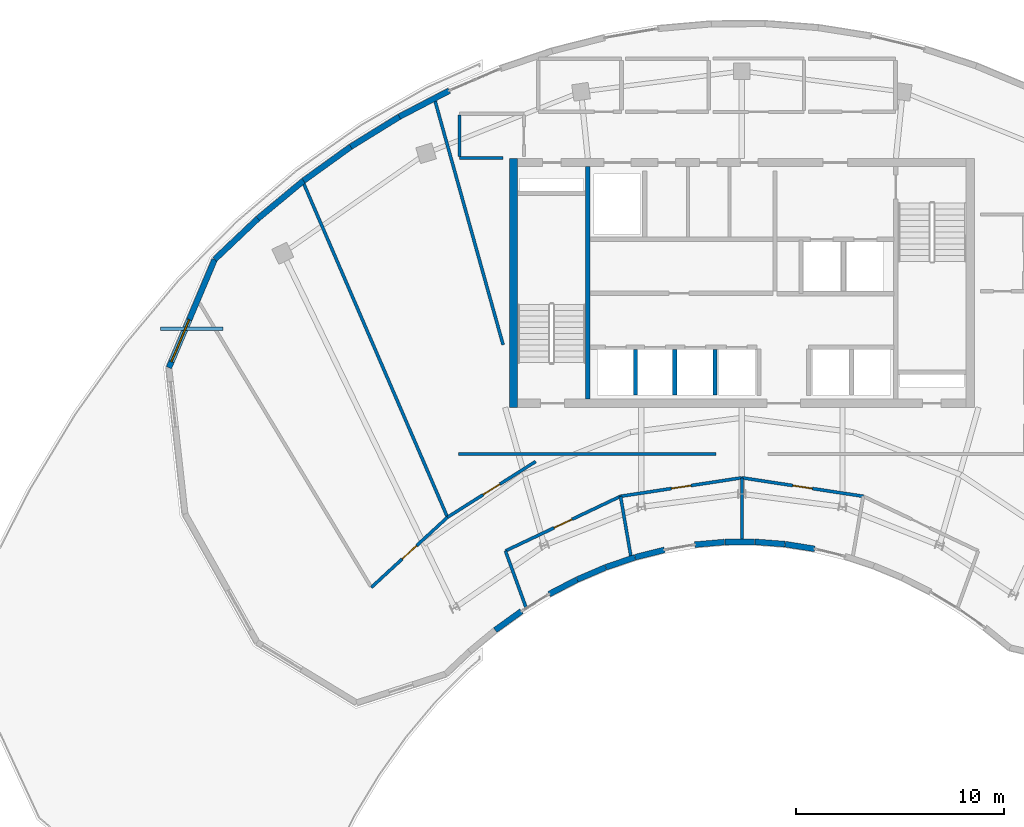
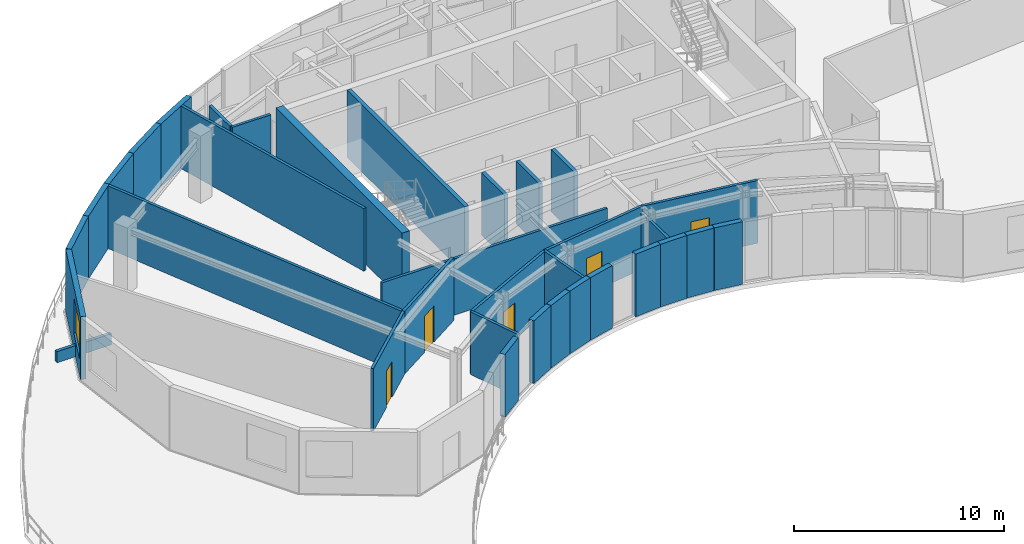
# One storey, part 6 of 11: 34 walls, 5 doors, 1 window, 6 openings.
"""IFC4 building model written with IfcOpenShell, lengths in metres."""

from ifc_helpers import new_model, si_unit, direction, frame, frame_2d, origin, place, context, subcontext, project, spatial, rectangle, extrude, source, transform, mapped, material, layer, layer_set, type_object, type_shapes, element, fill, save


model = new_model("IFC4")

# Units and contexts
model_context = context("Model", 3, precision=1e-05, world=origin(), true_north=direction((0.0, 1.0)))
body_context = subcontext(model_context, "Body", "Model", "MODEL_VIEW")
ifc_project = project(units=[si_unit("LENGTHUNIT", "METRE"), si_unit("AREAUNIT", "SQUARE_METRE"), si_unit("VOLUMEUNIT", "CUBIC_METRE"), si_unit("PLANEANGLEUNIT", "RADIAN"), si_unit("MASSUNIT", "GRAM", prefix="KILO")], contexts=[model_context])

# Site, building, storey
site_placement = place(None, origin())
site = spatial("IfcSite", under=ifc_project, at=site_placement, CompositionType="ELEMENT")
building_placement = place(site_placement, origin())
building = spatial("IfcBuilding", under=site, at=building_placement, Name="Breltana Convention Tower", CompositionType="ELEMENT")
storey_placement = place(building_placement, frame((0.0, 0.0, 275.699951171875)))
storey = spatial("IfcBuildingStorey", under=building, at=storey_placement, Name="L67", CompositionType="ELEMENT", Elevation=275.699951171875)

# Walls
ifc_material_1 = material(Name="Concrete C50/60", Category="concrete")
ifc_layer_1 = layer(ifc_material_1, 0.39990234375, Name="Concrete C50/60")
ifc_layer_set_1 = layer_set([ifc_layer_1], Name="Concrete C50/60")
wall_type_1 = type_object("IfcWallType", Name="SW-CORE-400", PredefinedType="SHEAR", material=ifc_layer_set_1)
shared_shape_1 = source(origin(), body_context, "Body", "SweptSolid", [
    extrude(rectangle(XDim=12.0, YDim=0.39990234375, at=frame_2d((6.0, 0.0))), origin(), (0.0, 0.0, 1.0), 3.900146484375),
])
wall_1_placement = place(storey_placement, frame((37.0, 60.199951171875, 0.0), z_axis=(0.0, 0.0, 1.0), x_axis=(0.0, 1.0, 0.0)))
element("IfcWall", 1, at=wall_1_placement, inside=storey, type_object=wall_type_1, Name="L67 West Core Shear Wall", PredefinedType="SHEAR", context=body_context, shape_type="MappedRepresentation", body=[
    mapped(shared_shape_1, transform((0.0, 0.0, 0.0), scale=1.0)),
])
shared_shape_2 = source(origin(), body_context, "Body", "SweptSolid", [
    extrude(rectangle(XDim=11.199951171875, YDim=0.219970703125, at=frame_2d((5.60009765625, 0.0))), origin(), (0.0, 0.0, 1.0), 3.900146484375),
])
wall_2_placement = place(storey_placement, frame((40.580078125, 60.60009765625, 0.0), z_axis=(0.0, 0.0, 1.0), x_axis=(0.0, 1.0, 0.0)))
element("IfcWall", 2, at=wall_2_placement, inside=storey, type_object=wall_type_1, Name="L67 Core West Stair Spine Wall", PredefinedType="SHEAR", context=body_context, shape_type="MappedRepresentation", body=[
    mapped(shared_shape_2, transform((0.0, 0.0, 0.0), scale=1.0)),
])
ifc_material_2 = material(Name="Limestone Buff Insulated Wall", Category="masonry")
ifc_layer_2 = layer(ifc_material_2, 0.280029296875, Name="Limestone Buff Insulated Wall")
ifc_layer_set_2 = layer_set([ifc_layer_2], Name="Limestone Buff Insulated Wall")
wall_type_2 = type_object("IfcWallType", Name="WL-EXT-NOSE-280", PredefinedType="SOLIDWALL", material=ifc_layer_set_2)
shared_shape_3 = source(origin(), body_context, "Body", "SweptSolid", [
    extrude(rectangle(XDim=1.446044921875, YDim=0.280029296875, at=frame_2d((0.72314453125, 0.0))), origin(), (0.0, 0.0, 1.0), 3.64013671875),
])
wall_3_placement = place(storey_placement, frame((51.509033203125, 53.38818359375, 0.0), z_axis=(0.0, 0.0, 1.0), x_axis=(-0.987650460941, 0.156673440642, 0.0)))
element("IfcWall", 3, at=wall_3_placement, inside=storey, type_object=wall_type_2, Name="L67 curved limestone nose wall E10", PredefinedType="SOLIDWALL", context=body_context, shape_type="MappedRepresentation", body=[
    mapped(shared_shape_3, transform((0.0, 0.0, 0.0), scale=1.0)),
])
shared_shape_4 = source(origin(), body_context, "Body", "SweptSolid", [
    extrude(rectangle(XDim=1.440185546875, YDim=0.280029296875, at=frame_2d((0.72021484375, 0.0))), origin(), (0.0, 0.0, 1.0), 3.64013671875),
])
wall_4_placement = place(storey_placement, frame((50.066162109375, 53.616455078125, 0.0), z_axis=(0.0, 0.0, 1.0), x_axis=(-0.997124860794, 0.075776064736, 0.0)))
element("IfcWall", 4, at=wall_4_placement, inside=storey, type_object=wall_type_2, Name="L67 curved limestone nose wall E11", PredefinedType="SOLIDWALL", context=body_context, shape_type="MappedRepresentation", body=[
    mapped(shared_shape_4, transform((0.0, 0.0, 0.0), scale=1.0)),
])
shared_shape_5 = source(origin(), body_context, "Body", "SweptSolid", [
    extrude(rectangle(XDim=1.4384765625, YDim=0.280029296875, at=frame_2d((0.71923828125, 0.0))), origin(), (0.0, 0.0, 1.0), 3.64013671875),
])
wall_5_placement = place(storey_placement, frame((48.615478515625, 53.726318359375, 0.0), z_axis=(0.0, 0.0, 1.0), x_axis=(-0.999982357135, -0.005940153174, 0.0)))
element("IfcWall", 5, at=wall_5_placement, inside=storey, type_object=wall_type_2, Name="L67 curved limestone nose wall E12", PredefinedType="SOLIDWALL", context=body_context, shape_type="MappedRepresentation", body=[
    mapped(shared_shape_5, transform((0.0, 0.0, 0.0), scale=1.0)),
])
shared_shape_6 = source(origin(), body_context, "Body", "SweptSolid", [
    extrude(rectangle(XDim=1.44091796875, YDim=0.280029296875, at=frame_2d((0.720458984375, 0.0))), origin(), (0.0, 0.0, 1.0), 3.64013671875),
])
wall_6_placement = place(storey_placement, frame((47.162353515625, 53.717041015625, 0.0), z_axis=(0.0, 0.0, 1.0), x_axis=(-0.99617032352, -0.087433898101, 0.0)))
element("IfcWall", 6, at=wall_6_placement, inside=storey, type_object=wall_type_2, Name="L67 curved limestone nose wall E13", PredefinedType="SOLIDWALL", context=body_context, shape_type="MappedRepresentation", body=[
    mapped(shared_shape_6, transform((0.0, 0.0, 0.0), scale=1.0)),
])
shared_shape_7 = source(origin(), body_context, "Body", "SweptSolid", [
    extrude(rectangle(XDim=1.4580078125, YDim=0.280029296875, at=frame_2d((0.72900390625, 0.0))), origin(), (0.0, 0.0, 1.0), 3.64013671875),
])
wall_7_placement = place(storey_placement, frame((44.271484375, 53.343017578125, 0.0), z_axis=(0.0, 0.0, 1.0), x_axis=(-0.969109544438, -0.246630677083, 0.0)))
element("IfcWall", 7, at=wall_7_placement, inside=storey, type_object=wall_type_2, Name="L67 curved limestone nose wall E14", PredefinedType="SOLIDWALL", context=body_context, shape_type="MappedRepresentation", body=[
    mapped(shared_shape_7, transform((0.0, 0.0, 0.0), scale=1.0)),
])
shared_shape_8 = source(origin(), body_context, "Body", "SweptSolid", [
    extrude(rectangle(XDim=1.47265625, YDim=0.280029296875, at=frame_2d((0.736328125, 0.0))), origin(), (0.0, 0.0, 1.0), 3.64013671875),
])
wall_8_placement = place(storey_placement, frame((42.8447265625, 52.9794921875, 0.0), z_axis=(0.0, 0.0, 1.0), x_axis=(-0.946641296917, -0.322289086026, 0.0)))
element("IfcWall", 8, at=wall_8_placement, inside=storey, type_object=wall_type_2, Name="L67 curved limestone nose wall E15", PredefinedType="SOLIDWALL", context=body_context, shape_type="MappedRepresentation", body=[
    mapped(shared_shape_8, transform((0.0, 0.0, 0.0), scale=1.0)),
])
shared_shape_9 = source(origin(), body_context, "Body", "SweptSolid", [
    extrude(rectangle(XDim=1.490478515625, YDim=0.280029296875, at=frame_2d((0.7451171875, 0.0))), origin(), (0.0, 0.0, 1.0), 3.64013671875),
])
wall_9_placement = place(storey_placement, frame((41.437744140625, 52.5, 0.0), z_axis=(0.0, 0.0, 1.0), x_axis=(-0.919009427656, -0.394235553799, 0.0)))
element("IfcWall", 9, at=wall_9_placement, inside=storey, type_object=wall_type_2, Name="L67 curved limestone nose wall E16", PredefinedType="SOLIDWALL", context=body_context, shape_type="MappedRepresentation", body=[
    mapped(shared_shape_9, transform((0.0, 0.0, 0.0), scale=1.0)),
])
shared_shape_10 = source(origin(), body_context, "Body", "SweptSolid", [
    extrude(rectangle(XDim=1.51171875, YDim=0.280029296875, at=frame_2d((0.755859375, 0.0))), origin(), (0.0, 0.0, 1.0), 3.64013671875),
])
wall_10_placement = place(storey_placement, frame((40.0556640625, 51.906494140625, 0.0), z_axis=(0.0, 0.0, 1.0), x_axis=(-0.886841011195, -0.462074691865, 0.0)))
element("IfcWall", 10, at=wall_10_placement, inside=storey, type_object=wall_type_2, Name="L67 curved limestone nose wall E17", PredefinedType="SOLIDWALL", context=body_context, shape_type="MappedRepresentation", body=[
    mapped(shared_shape_10, transform((0.0, 0.0, 0.0), scale=1.0)),
])
shared_shape_11 = source(origin(), body_context, "Body", "SweptSolid", [
    extrude(rectangle(XDim=1.56103515625, YDim=0.280029296875, at=frame_2d((0.780517578125, 0.0))), origin(), (0.0, 0.0, 1.0), 3.64013671875),
])
wall_11_placement = place(storey_placement, frame((37.38671875, 50.387451171875, 0.0), z_axis=(0.0, 0.0, 1.0), x_axis=(-0.81154027425, -0.584296485758, 0.0)))
element("IfcWall", 11, at=wall_11_placement, inside=storey, type_object=wall_type_2, Name="L67 curved limestone nose wall E18", PredefinedType="SOLIDWALL", context=body_context, shape_type="MappedRepresentation", body=[
    mapped(shared_shape_11, transform((0.0, 0.0, 0.0), scale=1.0)),
])

# Wall, opening, window
shared_shape_12 = source(origin(), body_context, "Body", "SweptSolid", [
    extrude(rectangle(XDim=5.655029296875, YDim=0.280029296875, at=frame_2d((2.82763671875, 0.0))), origin(), (0.0, 0.0, 1.0), 3.64013671875),
])
wall_12_placement = place(storey_placement, frame((20.40087890625, 62.11572265625, 0.0), z_axis=(0.0, 0.0, 1.0), x_axis=(0.389585063528, 0.920990487614, 0.0)))
wall_12 = element("IfcWall", 12, at=wall_12_placement, inside=storey, type_object=wall_type_2, Name="L67 curved limestone nose wall W6", PredefinedType="SOLIDWALL", context=body_context, shape_type="MappedRepresentation", body=[
    mapped(shared_shape_12, transform((0.0, 0.0, 0.0), scale=1.0)),
])
opening_1_placement = place(wall_12_placement, frame((0.313720703125, 0.0, 0.949951171875)))
opening_1 = element("IfcOpeningElement", 13, at=opening_1_placement, cuts=wall_12, Name="Opening W-03", PredefinedType="OPENING", context=body_context, shape_type="SweptSolid", body=[
    extrude(rectangle(XDim=2.199951171875, YDim=2.10009765625, at=frame_2d((1.10009765625, 1.050048828125))), frame((0.0, 0.14990234375, 0.0), z_axis=(0.0, -1.0, 0.0), x_axis=(1.0, 0.0, 0.0)), (0.0, 0.0, 1.0), 0.300048828125),
])
ifc_material_3 = material(Name="Glass Low-E Insulated Window", Category="glass")
window_type = type_object("IfcWindowType", Name="WN-NOSE-2200X2100", PartitioningType="TRIPLE_PANEL_VERTICAL", PredefinedType="WINDOW", material=ifc_material_3)
shared_shape_13 = source(origin(), body_context, "Body", "SweptSolid", [
    extrude(rectangle(XDim=2.199951171875, YDim=2.10009765625, at=frame_2d((1.10009765625, 1.050048828125))), frame((0.0, 0.030029296875, 0.0), z_axis=(0.0, -1.0, 0.0), x_axis=(1.0, 0.0, 0.0)), (0.0, 0.0, 1.0), 0.06005859375),
])
type_shapes(window_type, [shared_shape_13])
window_placement = place(opening_1_placement, origin())
window = element("IfcWindow", 14, at=window_placement, inside=storey, type_object=window_type, Name="L67 nose window W6", OverallHeight=2.10009765625, OverallWidth=2.199951171875, PartitioningType="TRIPLE_PANEL_VERTICAL", PredefinedType="WINDOW", context=body_context, shape_type="MappedRepresentation", body=[
    mapped(shared_shape_13, transform((0.0, 0.0, 0.0), scale=1.0)),
])
fill(opening_1, window)

# Walls
shared_shape_14 = source(origin(), body_context, "Body", "SweptSolid", [
    extrude(rectangle(XDim=2.87255859375, YDim=0.280029296875, at=frame_2d((1.436279296875, 0.0))), origin(), (0.0, 0.0, 1.0), 3.64013671875),
])
wall_13_placement = place(storey_placement, frame((22.60400390625, 67.323974609375, 0.0), z_axis=(0.0, 0.0, 1.0), x_axis=(0.72609560544, 0.687593754888, 0.0)))
element("IfcWall", 15, at=wall_13_placement, inside=storey, type_object=wall_type_2, Name="L67 curved limestone nose wall W7", PredefinedType="SOLIDWALL", context=body_context, shape_type="MappedRepresentation", body=[
    mapped(shared_shape_14, transform((0.0, 0.0, 0.0), scale=1.0)),
])
shared_shape_15 = source(origin(), body_context, "Body", "SweptSolid", [
    extrude(rectangle(XDim=2.852294921875, YDim=0.280029296875, at=frame_2d((1.42626953125, 0.0))), origin(), (0.0, 0.0, 1.0), 3.64013671875),
])
wall_14_placement = place(storey_placement, frame((24.689697265625, 69.299072265625, 0.0), z_axis=(0.0, 0.0, 1.0), x_axis=(0.769783606009, 0.638304942735, 0.0)))
element("IfcWall", 16, at=wall_14_placement, inside=storey, type_object=wall_type_2, Name="L67 curved limestone nose wall W8", PredefinedType="SOLIDWALL", context=body_context, shape_type="MappedRepresentation", body=[
    mapped(shared_shape_15, transform((0.0, 0.0, 0.0), scale=1.0)),
])
shared_shape_16 = source(origin(), body_context, "Body", "SweptSolid", [
    extrude(rectangle(XDim=2.8017578125, YDim=0.280029296875, at=frame_2d((1.40087890625, 0.0))), origin(), (0.0, 0.0, 1.0), 3.64013671875),
])
wall_15_placement = place(storey_placement, frame((26.88525390625, 71.11962890625, 0.0), z_axis=(0.0, 0.0, 1.0), x_axis=(0.811507896482, 0.584341453217, 0.0)))
element("IfcWall", 17, at=wall_15_placement, inside=storey, type_object=wall_type_2, Name="L67 curved limestone nose wall W9", PredefinedType="SOLIDWALL", context=body_context, shape_type="MappedRepresentation", body=[
    mapped(shared_shape_16, transform((0.0, 0.0, 0.0), scale=1.0)),
])
shared_shape_17 = source(origin(), body_context, "Body", "SweptSolid", [
    extrude(rectangle(XDim=2.754638671875, YDim=0.280029296875, at=frame_2d((1.37744140625, 0.0))), origin(), (0.0, 0.0, 1.0), 3.64013671875),
])
wall_16_placement = place(storey_placement, frame((29.158935546875, 72.7568359375, 0.0), z_axis=(0.0, 0.0, 1.0), x_axis=(0.850750210743, 0.525570241661, 0.0)))
element("IfcWall", 18, at=wall_16_placement, inside=storey, type_object=wall_type_2, Name="L67 curved limestone nose wall W10", PredefinedType="SOLIDWALL", context=body_context, shape_type="MappedRepresentation", body=[
    mapped(shared_shape_17, transform((0.0, 0.0, 0.0), scale=1.0)),
])
shared_shape_18 = source(origin(), body_context, "Body", "SweptSolid", [
    extrude(rectangle(XDim=2.71142578125, YDim=0.280029296875, at=frame_2d((1.355712890625, 0.0))), origin(), (0.0, 0.0, 1.0), 3.64013671875),
])
wall_17_placement = place(storey_placement, frame((31.50244140625, 74.20458984375, 0.0), z_axis=(0.0, 0.0, 1.0), x_axis=(0.886828760751, 0.462098202881, 0.0)))
element("IfcWall", 19, at=wall_17_placement, inside=storey, type_object=wall_type_2, Name="L67 curved limestone nose wall W11", PredefinedType="SOLIDWALL", context=body_context, shape_type="MappedRepresentation", body=[
    mapped(shared_shape_18, transform((0.0, 0.0, 0.0), scale=1.0)),
])
ifc_material_4 = material(Name="Autoclaved Aerated Concrete Block", Category="concrete")
ifc_layer_3 = layer(ifc_material_4, 0.199951171875, Name="Autoclaved Aerated Concrete Block")
ifc_layer_set_3 = layer_set([ifc_layer_3], Name="Autoclaved Aerated Concrete Block")
wall_type_3 = type_object("IfcWallType", Name="WL-SHAFT-200", PredefinedType="SOLIDWALL", material=ifc_layer_set_3)
shared_shape_19 = source(origin(), body_context, "Body", "SweptSolid", [
    extrude(rectangle(XDim=2.199951171875, YDim=0.199951171875, at=frame_2d((1.10009765625, 0.0))), origin(), (0.0, 0.0, 1.0), 3.64013671875),
])
for number, where, z_axis, x_axis, name in (
    (20, (42.8701171875, 60.800048828125, 0.0), (0.0, 0.0, 1.0), (0.0, 1.0, 0.0), "L67 interior partition W-L67-SH-S-DIV1"),
    (21, (44.77001953125, 60.800048828125, 0.0), (0.0, 0.0, 1.0), (0.0, 1.0, 0.0), "L67 interior partition W-L67-SH-S-DIV2"),
    (22, (46.699951171875, 60.800048828125, 0.0), (0.0, 0.0, 1.0), (0.0, 1.0, 0.0), "L67 interior partition W-L67-SH-S-DIV3"),
):
    element("IfcWall", number, at=place(storey_placement, frame(where, z_axis=z_axis, x_axis=x_axis)), inside=storey, type_object=wall_type_3, Name=name, PredefinedType="SOLIDWALL", context=body_context, shape_type="MappedRepresentation", body=[
        mapped(shared_shape_19, transform((0.0, 0.0, 0.0), scale=1.0)),
    ])
ifc_material_5 = material(Name="Gypsum Acoustic Drywall Partition")
ifc_layer_4 = layer(ifc_material_5, 0.14990234375, Name="Gypsum Acoustic Drywall Partition")
ifc_layer_set_4 = layer_set([ifc_layer_4], Name="Gypsum Acoustic Drywall Partition")
wall_type_4 = type_object("IfcWallType", Name="WL-PART-150", PredefinedType="PARTITIONING", material=ifc_layer_set_4)
shared_shape_20 = source(origin(), body_context, "Body", "SweptSolid", [
    extrude(rectangle(XDim=2.10009765625, YDim=0.14990234375, at=frame_2d((1.050048828125, 0.0))), origin(), (0.0, 0.0, 1.0), 3.64013671875),
])
wall_18_placement = place(storey_placement, frame((34.39990234375, 72.219970703125, 0.0), z_axis=(0.0, 0.0, 1.0), x_axis=(1.0, 0.0, 0.0)))
element("IfcWall", 23, at=wall_18_placement, inside=storey, type_object=wall_type_4, Name="L67 interior partition W-L67-CRNE-S", PredefinedType="PARTITIONING", context=body_context, shape_type="MappedRepresentation", body=[
    mapped(shared_shape_20, transform((0.0, 0.0, 0.0), scale=1.0)),
])
shared_shape_21 = source(origin(), body_context, "Body", "SweptSolid", [
    extrude(rectangle(XDim=1.994873046875, YDim=0.14990234375, at=frame_2d((0.99755859375, 0.0))), origin(), (0.0, 0.0, 1.0), 3.64013671875),
])
wall_19_placement = place(storey_placement, frame((34.39990234375, 72.28759765625, 0.0), z_axis=(0.0, 0.0, 1.0), x_axis=(0.0, 1.0, 0.0)))
element("IfcWall", 24, at=wall_19_placement, inside=storey, type_object=wall_type_4, Name="L67 interior partition W-L67-CRNE-W", PredefinedType="PARTITIONING", context=body_context, shape_type="MappedRepresentation", body=[
    mapped(shared_shape_21, transform((0.0, 0.0, 0.0), scale=1.0)),
])

# Wall, opening, door
shared_shape_22 = source(origin(), body_context, "Body", "SweptSolid", [
    extrude(rectangle(XDim=6.13720703125, YDim=0.14990234375, at=frame_2d((3.068603515625, 0.0))), origin(), (0.0, 0.0, 1.0), 3.64013671875),
])
wall_20_placement = place(storey_placement, frame((36.611083984375, 53.289794921875, 0.0), z_axis=(0.0, 0.0, 1.0), x_axis=(0.903442784804, 0.428708682657, 0.0)))
wall_20 = element("IfcWall", 25, at=wall_20_placement, inside=storey, type_object=wall_type_4, Name="L67 interior partition W-L67-ES1-COR", PredefinedType="PARTITIONING", context=body_context, shape_type="MappedRepresentation", body=[
    mapped(shared_shape_22, transform((0.0, 0.0, 0.0), scale=1.0)),
])
opening_2_placement = place(wall_20_placement, frame((2.593505859375, 0.0, 0.0)))
opening_2 = element("IfcOpeningElement", 26, at=opening_2_placement, cuts=wall_20, Name="Opening D-17", PredefinedType="OPENING", context=body_context, shape_type="SweptSolid", body=[
    extrude(rectangle(XDim=0.949951171875, YDim=2.10009765625, at=frame_2d((0.47509765625, 1.050048828125))), frame((0.0, 0.0849609375, 0.0), z_axis=(0.0, -1.0, 0.0), x_axis=(1.0, 0.0, 0.0)), (0.0, 0.0, 1.0), 0.169921875),
])
ifc_material_6 = material(Name="Timber Oak Veneer Door", Category="wood")
door_type = type_object("IfcDoorType", Name="DR-INT-950", OperationType="NOTDEFINED", PredefinedType="DOOR", material=ifc_material_6)
shared_shape_23 = source(origin(), body_context, "Body", "SweptSolid", [
    extrude(rectangle(XDim=0.949951171875, YDim=2.10009765625, at=frame_2d((0.47509765625, 1.050048828125))), frame((0.0, 0.02490234375, 0.0), z_axis=(0.0, -1.0, 0.0), x_axis=(1.0, 0.0, 0.0)), (0.0, 0.0, 1.0), 0.050048828125),
])
type_shapes(door_type, [shared_shape_23])
door_1_placement = place(opening_2_placement, origin())
door_1 = element("IfcDoor", 27, at=door_1_placement, inside=storey, type_object=door_type, Name="L67 interior door D-L67-ES1", OperationType="SINGLE_SWING_LEFT", OverallHeight=2.10009765625, OverallWidth=0.949951171875, PredefinedType="DOOR", context=body_context, shape_type="MappedRepresentation", body=[
    mapped(shared_shape_23, transform((0.0, 0.0, 0.0), scale=1.0)),
])
fill(opening_2, door_1)

# Walls
shared_shape_24 = source(origin(), body_context, "Body", "SweptSolid", [
    extrude(rectangle(XDim=2.92724609375, YDim=0.14990234375, at=frame_2d((1.463623046875, 0.0))), origin(), (0.0, 0.0, 1.0), 3.64013671875),
])
wall_21_placement = place(storey_placement, frame((37.6123046875, 50.5390625, 0.0), z_axis=(0.0, 0.0, 1.0), x_axis=(-0.342030996507, 0.93968867048, 0.0)))
element("IfcWall", 28, at=wall_21_placement, inside=storey, type_object=wall_type_4, Name="L67 interior partition W-L67-ES1-RA", PredefinedType="PARTITIONING", context=body_context, shape_type="MappedRepresentation", body=[
    mapped(shared_shape_24, transform((0.0, 0.0, 0.0), scale=1.0)),
])
shared_shape_25 = source(origin(), body_context, "Body", "SweptSolid", [
    extrude(rectangle(XDim=3.033935546875, YDim=0.14990234375, at=frame_2d((1.51708984375, 0.0))), origin(), (0.0, 0.0, 1.0), 3.64013671875),
])
wall_22_placement = place(storey_placement, frame((42.6708984375, 52.930908203125, 0.0), z_axis=(0.0, 0.0, 1.0), x_axis=(-0.169785657008, 0.985481014873, 0.0)))
element("IfcWall", 29, at=wall_22_placement, inside=storey, type_object=wall_type_4, Name="L67 interior partition W-L67-ES1-RB", PredefinedType="PARTITIONING", context=body_context, shape_type="MappedRepresentation", body=[
    mapped(shared_shape_25, transform((0.0, 0.0, 0.0), scale=1.0)),
])

# Wall, opening, door
shared_shape_26 = source(origin(), body_context, "Body", "SweptSolid", [
    extrude(rectangle(XDim=5.911865234375, YDim=0.14990234375, at=frame_2d((2.9560546875, 0.0))), origin(), (0.0, 0.0, 1.0), 3.64013671875),
])
wall_23_placement = place(storey_placement, frame((42.15576171875, 55.9208984375, 0.0), z_axis=(0.0, 0.0, 1.0), x_axis=(0.98854340791, 0.150936843342, 0.0)))
wall_23 = element("IfcWall", 30, at=wall_23_placement, inside=storey, type_object=wall_type_4, Name="L67 interior partition W-L67-ES2-COR", PredefinedType="PARTITIONING", context=body_context, shape_type="MappedRepresentation", body=[
    mapped(shared_shape_26, transform((0.0, 0.0, 0.0), scale=1.0)),
])
opening_3_placement = place(wall_23_placement, frame((2.48095703125, 0.0, 0.0)))
opening_3 = element("IfcOpeningElement", 31, at=opening_3_placement, cuts=wall_23, Name="Opening D-17", PredefinedType="OPENING", context=body_context, shape_type="SweptSolid", body=[
    extrude(rectangle(XDim=0.949951171875, YDim=2.10009765625, at=frame_2d((0.47509765625, 1.050048828125))), frame((0.0, 0.0849609375, 0.0), z_axis=(0.0, -1.0, 0.0), x_axis=(1.0, 0.0, 0.0)), (0.0, 0.0, 1.0), 0.169921875),
])
door_2_placement = place(opening_3_placement, origin())
door_2 = element("IfcDoor", 32, at=door_2_placement, inside=storey, type_object=door_type, Name="L67 interior door D-L67-ES2", OperationType="SINGLE_SWING_RIGHT", OverallHeight=2.10009765625, OverallWidth=0.949951171875, PredefinedType="DOOR", context=body_context, shape_type="MappedRepresentation", body=[
    mapped(shared_shape_23, transform((0.0, 0.0, 0.0), scale=1.0)),
])
fill(opening_3, door_2)

wall_24_placement = place(storey_placement, frame((48.0, 56.813232421875, 0.0), z_axis=(0.0, 0.0, 1.0), x_axis=(0.98854340791, -0.150936843342, 0.0)))
wall_24 = element("IfcWall", 33, at=wall_24_placement, inside=storey, type_object=wall_type_4, Name="L67 interior partition W-L67-ES3-COR", PredefinedType="PARTITIONING", context=body_context, shape_type="MappedRepresentation", body=[
    mapped(shared_shape_26, transform((0.0, 0.0, 0.0), scale=1.0)),
])
opening_4_placement = place(wall_24_placement, frame((2.48095703125, 0.0, 0.0)))
opening_4 = element("IfcOpeningElement", 34, at=opening_4_placement, cuts=wall_24, Name="Opening D-17", PredefinedType="OPENING", context=body_context, shape_type="SweptSolid", body=[
    extrude(rectangle(XDim=0.949951171875, YDim=2.10009765625, at=frame_2d((0.47509765625, 1.050048828125))), frame((0.0, 0.0849609375, 0.0), z_axis=(0.0, -1.0, 0.0), x_axis=(1.0, 0.0, 0.0)), (0.0, 0.0, 1.0), 0.169921875),
])
door_3_placement = place(opening_4_placement, origin())
door_3 = element("IfcDoor", 35, at=door_3_placement, inside=storey, type_object=door_type, Name="L67 interior door D-L67-ES3", OperationType="SINGLE_SWING_LEFT", OverallHeight=2.10009765625, OverallWidth=0.949951171875, PredefinedType="DOOR", context=body_context, shape_type="MappedRepresentation", body=[
    mapped(shared_shape_23, transform((0.0, 0.0, 0.0), scale=1.0)),
])
fill(opening_4, door_3)

# Wall
shared_shape_27 = source(origin(), body_context, "Body", "SweptSolid", [
    extrude(rectangle(XDim=3.08056640625, YDim=0.14990234375, at=frame_2d((1.540283203125, 0.0))), origin(), (0.0, 0.0, 1.0), 3.31396484375),
])
wall_25_placement = place(storey_placement, frame((48.0, 53.732666015625, 0.0), z_axis=(0.0, 0.0, 1.0), x_axis=(0.0, 1.0, 0.0)))
element("IfcWall", 36, at=wall_25_placement, inside=storey, type_object=wall_type_4, Name="L67 interior partition W-L67-ES2-RB", PredefinedType="PARTITIONING", context=body_context, shape_type="MappedRepresentation", body=[
    mapped(shared_shape_27, transform((0.0, 0.0, 0.0), scale=1.0)),
])

# Wall, opening, door
shared_shape_28 = source(origin(), body_context, "Body", "SweptSolid", [
    extrude(rectangle(XDim=4.98583984375, YDim=0.14990234375, at=frame_2d((2.492919921875, 0.0))), origin(), (0.0, 0.0, 1.0), 3.64013671875),
])
wall_26_placement = place(storey_placement, frame((30.152587890625, 51.533447265625, 0.0), z_axis=(0.0, 0.0, 1.0), x_axis=(0.735595190169, 0.677421372707, 0.0)))
wall_26 = element("IfcWall", 37, at=wall_26_placement, inside=storey, type_object=wall_type_4, Name="L67 interior partition W-L67-EXWR1-COR", PredefinedType="PARTITIONING", context=body_context, shape_type="MappedRepresentation", body=[
    mapped(shared_shape_28, transform((0.0, 0.0, 0.0), scale=1.0)),
])
opening_5_placement = place(wall_26_placement, frame((2.017822265625, 0.0, 0.0)))
opening_5 = element("IfcOpeningElement", 38, at=opening_5_placement, cuts=wall_26, Name="Opening D-17", PredefinedType="OPENING", context=body_context, shape_type="SweptSolid", body=[
    extrude(rectangle(XDim=0.949951171875, YDim=2.10009765625, at=frame_2d((0.47509765625, 1.050048828125))), frame((0.0, 0.0849609375, 0.0), z_axis=(0.0, -1.0, 0.0), x_axis=(1.0, 0.0, 0.0)), (0.0, 0.0, 1.0), 0.169921875),
])
door_4_placement = place(opening_5_placement, origin())
door_4 = element("IfcDoor", 39, at=door_4_placement, inside=storey, type_object=door_type, Name="L67 interior door D-L67-EXWR1", OperationType="SINGLE_SWING_LEFT", OverallHeight=2.10009765625, OverallWidth=0.949951171875, PredefinedType="DOOR", context=body_context, shape_type="MappedRepresentation", body=[
    mapped(shared_shape_23, transform((0.0, 0.0, 0.0), scale=1.0)),
])
fill(opening_5, door_4)

# Wall
shared_shape_29 = source(origin(), body_context, "Body", "SweptSolid", [
    extrude(rectangle(XDim=17.5556640625, YDim=0.14990234375, at=frame_2d((8.77783203125, 0.0))), origin(), (0.0, 0.0, 1.0), 3.64013671875),
])
wall_27_placement = place(storey_placement, frame((33.800048828125, 54.95751953125, 0.0), z_axis=(0.0, 0.0, 1.0), x_axis=(-0.395687598313, 0.918385172213, 0.0)))
element("IfcWall", 40, at=wall_27_placement, inside=storey, type_object=wall_type_4, Name="L67 interior partition W-L67-EXWR1-RB", PredefinedType="PARTITIONING", context=body_context, shape_type="MappedRepresentation", body=[
    mapped(shared_shape_29, transform((0.0, 0.0, 0.0), scale=1.0)),
])

# Wall, opening, door
shared_shape_30 = source(origin(), body_context, "Body", "SweptSolid", [
    extrude(rectangle(XDim=5.025390625, YDim=0.14990234375, at=frame_2d((2.5126953125, 0.0))), origin(), (0.0, 0.0, 1.0), 3.64013671875),
])
wall_28_placement = place(storey_placement, frame((33.820068359375, 54.910888671875, 0.0), z_axis=(0.0, 0.0, 1.0), x_axis=(0.84532378062, 0.534254345717, 0.0)))
wall_28 = element("IfcWall", 41, at=wall_28_placement, inside=storey, type_object=wall_type_4, Name="L67 interior partition W-L67-EXWR2-COR", PredefinedType="PARTITIONING", context=body_context, shape_type="MappedRepresentation", body=[
    mapped(shared_shape_30, transform((0.0, 0.0, 0.0), scale=1.0)),
])
opening_6_placement = place(wall_28_placement, frame((2.03759765625, 0.0, 0.0)))
opening_6 = element("IfcOpeningElement", 42, at=opening_6_placement, cuts=wall_28, Name="Opening D-17", PredefinedType="OPENING", context=body_context, shape_type="SweptSolid", body=[
    extrude(rectangle(XDim=0.949951171875, YDim=2.10009765625, at=frame_2d((0.47509765625, 1.050048828125))), frame((0.0, 0.0849609375, 0.0), z_axis=(0.0, -1.0, 0.0), x_axis=(1.0, 0.0, 0.0)), (0.0, 0.0, 1.0), 0.169921875),
])
door_5_placement = place(opening_6_placement, origin())
door_5 = element("IfcDoor", 43, at=door_5_placement, inside=storey, type_object=door_type, Name="L67 interior door D-L67-EXWR2", OperationType="SINGLE_SWING_RIGHT", OverallHeight=2.10009765625, OverallWidth=0.949951171875, PredefinedType="DOOR", context=body_context, shape_type="MappedRepresentation", body=[
    mapped(shared_shape_23, transform((0.0, 0.0, 0.0), scale=1.0)),
])
fill(opening_6, door_5)

# Walls
shared_shape_31 = source(origin(), body_context, "Body", "SweptSolid", [
    extrude(rectangle(XDim=12.310546875, YDim=0.14990234375, at=frame_2d((6.1552734375, 0.0))), origin(), (0.0, 0.0, 1.0), 3.64013671875),
])
wall_29_placement = place(storey_placement, frame((36.5, 63.2158203125, 0.0), z_axis=(0.0, 0.0, 1.0), x_axis=(-0.268759602651, 0.963207286093, 0.0)))
element("IfcWall", 44, at=wall_29_placement, inside=storey, type_object=wall_type_4, Name="L67 interior partition W-L67-EXWR2-RB", PredefinedType="PARTITIONING", context=body_context, shape_type="MappedRepresentation", body=[
    mapped(shared_shape_31, transform((0.0, 0.0, 0.0), scale=1.0)),
])
shared_shape_32 = source(origin(), body_context, "Body", "SweptSolid", [
    extrude(rectangle(XDim=12.389892578125, YDim=0.14990234375, at=frame_2d((6.19482421875, 0.0))), origin(), (0.0, 0.0, 1.0), 3.27001953125),
])
wall_30_placement = place(storey_placement, frame((34.360107421875, 57.9599609375, 0.0), z_axis=(0.0, 0.0, 1.0), x_axis=(1.0, 0.0, 0.0)))
element("IfcWall", 45, at=wall_30_placement, inside=storey, type_object=wall_type_4, Name="L67 interior partition W-L67-Z45-CSW", PredefinedType="PARTITIONING", context=body_context, shape_type="MappedRepresentation", body=[
    mapped(shared_shape_32, transform((0.0, 0.0, 0.0), scale=1.0)),
])
ifc_material_7 = material(Name="Limestone Warm Buff Planter Kerb", Category="masonry")
ifc_layer_5 = layer(ifc_material_7, 0.1650390625, Name="Limestone Warm Buff Planter Kerb")
ifc_layer_set_5 = layer_set([ifc_layer_5], Name="Limestone Warm Buff Planter Kerb")
wall_type_5 = type_object("IfcWallType", Name="WL-PLANTER-200", PredefinedType="PARAPET", material=ifc_layer_set_5)
shared_shape_33 = source(origin(), body_context, "Body", "SweptSolid", [
    extrude(rectangle(XDim=3.0, YDim=0.1650390625, at=frame_2d((1.5, 0.0))), origin(), (0.0, 0.0, 1.0), 0.650146484375),
])
wall_31_placement = place(storey_placement, frame((20.0, 64.0, 0.0), z_axis=(0.0, 0.0, 1.0), x_axis=(1.0, 0.0, 0.0)))
element("IfcWall", 46, at=wall_31_placement, inside=storey, type_object=wall_type_5, Name="L67 landscaped terrace stone planter 6", PredefinedType="PARAPET", context=body_context, shape_type="MappedRepresentation", body=[
    mapped(shared_shape_33, transform((0.0, 0.0, 0.0), scale=1.0)),
])

save(model, "model.ifc")
